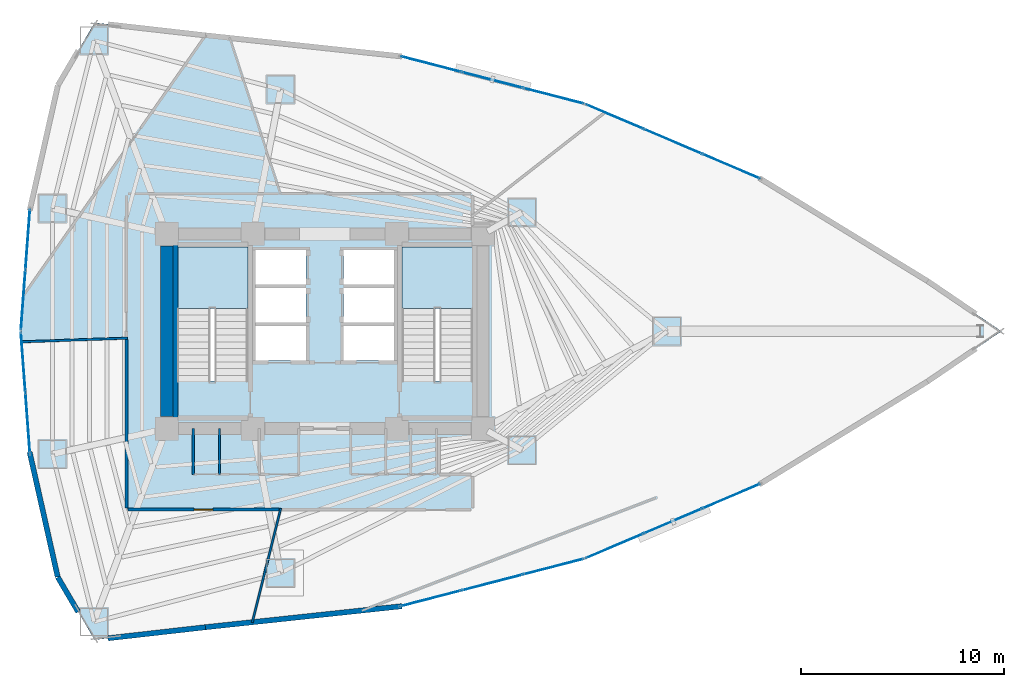
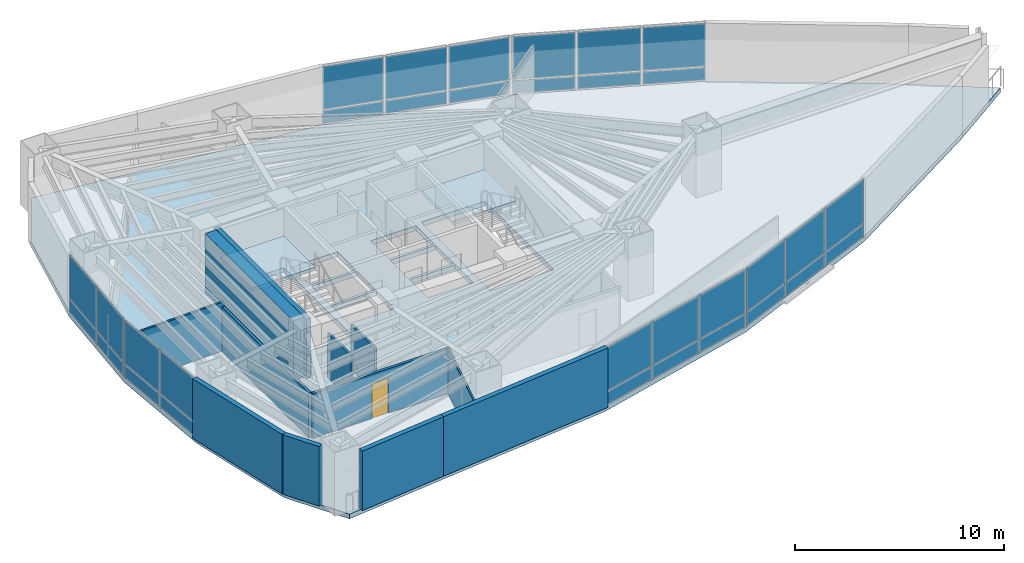
# One storey, part 14 of 20: 32 plates, 12 walls, 3 slabs, 1 door, 1 opening, 8 elements without a shape of their own.
"""IFC4 building model written with IfcOpenShell, lengths in metres."""

from ifc_helpers import new_model, si_unit, direction, frame, frame_2d, origin, origin_2d, place, context, subcontext, project, spatial, polyline, rectangle, outline, extrude, material, layer, layer_set, type_object, element, fill, aggregate, save


model = new_model("IFC4")

# Units and contexts
model_context = context("Model", 3, precision=1e-05, world=origin(), true_north=direction((0.0, 1.0)))
body_context = subcontext(model_context, "Body", "Model", "MODEL_VIEW")
ifc_project = project(units=[si_unit("LENGTHUNIT", "METRE"), si_unit("AREAUNIT", "SQUARE_METRE"), si_unit("VOLUMEUNIT", "CUBIC_METRE"), si_unit("PLANEANGLEUNIT", "RADIAN"), si_unit("MASSUNIT", "GRAM", prefix="KILO")], contexts=[model_context])

# Site, building, storey
site_placement = place(None, origin())
site = spatial("IfcSite", under=ifc_project, at=site_placement, CompositionType="ELEMENT")
building_placement = place(site_placement, origin())
building = spatial("IfcBuilding", under=site, at=building_placement, Name="Menara Vayukalpa", CompositionType="ELEMENT")
storey_placement = place(building_placement, frame((0.0, 0.0, 57.360107421875)))
storey = spatial("IfcBuildingStorey", under=building, at=storey_placement, Name="L13", CompositionType="ELEMENT", Elevation=57.360107421875)

# Curtain wall, plates
ifc_material_1 = material(Name="Anodised Terracotta Aluminium Alloy 6063-T6", Category="masonry")
ifc_layer_1 = layer(ifc_material_1, 0.179931640625)
ifc_layer_set_1 = layer_set([ifc_layer_1], Name="Anodised Terracotta Aluminium Alloy 6063-T6")
curtain_wall_type = type_object("IfcCurtainWallType", Name="CW-CW4", PredefinedType="USERDEFINED", material=ifc_layer_set_1)
curtain_wall_1_placement = place(storey_placement, origin())
curtain_wall_1 = element("IfcCurtainWall", 1, at=curtain_wall_1_placement, inside=storey, type_object=curtain_wall_type, Name="L13 Sky Bar Cantilever Glazed Curtain Wall CW4 04", ObjectType="UNITISED", PredefinedType="USERDEFINED")
ifc_material_2 = material(Name="Low-E Double Glazing", Category="glass")
ifc_layer_2 = layer(ifc_material_2, 0.0380859375)
ifc_layer_set_2 = layer_set([ifc_layer_2], Name="Low-E Double Glazing")
plate_type = type_object("IfcPlateType", Name="CWP-CW4", PredefinedType="CURTAIN_PANEL", material=ifc_layer_set_2)
plate_1_placement = place(storey_placement, frame((45.634033203125, 30.132080078125, 0.06982421875), z_axis=(0.0, 0.0, 1.0), x_axis=(-0.919961751315, 0.392008132718, 0.0)))
plate_1 = element("IfcPlate", 2, at=plate_1_placement, type_object=plate_type, Name="CW4 panel 1.1", PredefinedType="CURTAIN_PANEL", context=body_context, shape_type="SweptSolid", body=[
    extrude(rectangle(XDim=3.03173828125, YDim=0.0380859375, at=origin_2d()), origin(), (0.0, 0.0, 1.0), 0.7451171875),
])
plate_2_placement = place(storey_placement, frame((45.634033203125, 30.132080078125, 0.884765625), z_axis=(0.0, 0.0, 1.0), x_axis=(-0.919961751315, 0.392008132718, 0.0)))
plate_2 = element("IfcPlate", 3, at=plate_2_placement, type_object=plate_type, Name="CW4 panel 1.2", PredefinedType="CURTAIN_PANEL", context=body_context, shape_type="SweptSolid", body=[
    extrude(rectangle(XDim=3.03173828125, YDim=0.0380859375, at=origin_2d()), origin(), (0.0, 0.0, 1.0), 2.514892578125),
])
plate_3_placement = place(storey_placement, frame((42.7587890625, 31.357177734375, 0.06982421875), z_axis=(0.0, 0.0, 1.0), x_axis=(-0.919961751315, 0.392008132718, 0.0)))
plate_3 = element("IfcPlate", 4, at=plate_3_placement, type_object=plate_type, Name="CW4 panel 2.1", PredefinedType="CURTAIN_PANEL", context=body_context, shape_type="SweptSolid", body=[
    extrude(rectangle(XDim=3.069091796875, YDim=0.0380859375, at=origin_2d()), origin(), (0.0, 0.0, 1.0), 0.7451171875),
])
plate_4_placement = place(storey_placement, frame((42.7587890625, 31.357177734375, 0.884765625), z_axis=(0.0, 0.0, 1.0), x_axis=(-0.919961751315, 0.392008132718, 0.0)))
plate_4 = element("IfcPlate", 5, at=plate_4_placement, type_object=plate_type, Name="CW4 panel 2.2", PredefinedType="CURTAIN_PANEL", context=body_context, shape_type="SweptSolid", body=[
    extrude(rectangle(XDim=3.069091796875, YDim=0.0380859375, at=origin_2d()), origin(), (0.0, 0.0, 1.0), 2.514892578125),
])
plate_5_placement = place(storey_placement, frame((39.883544921875, 32.582275390625, 0.06982421875), z_axis=(0.0, 0.0, 1.0), x_axis=(-0.919961751315, 0.392008132718, 0.0)))
plate_5 = element("IfcPlate", 6, at=plate_5_placement, type_object=plate_type, Name="CW4 panel 3.1", PredefinedType="CURTAIN_PANEL", context=body_context, shape_type="SweptSolid", body=[
    extrude(rectangle(XDim=3.03173828125, YDim=0.0380859375, at=origin_2d()), origin(), (0.0, 0.0, 1.0), 0.7451171875),
])
plate_6_placement = place(storey_placement, frame((39.883544921875, 32.582275390625, 0.884765625), z_axis=(0.0, 0.0, 1.0), x_axis=(-0.919961751315, 0.392008132718, 0.0)))
plate_6 = element("IfcPlate", 7, at=plate_6_placement, type_object=plate_type, Name="CW4 panel 3.2", PredefinedType="CURTAIN_PANEL", context=body_context, shape_type="SweptSolid", body=[
    extrude(rectangle(XDim=3.03173828125, YDim=0.0380859375, at=origin_2d()), origin(), (0.0, 0.0, 1.0), 2.514892578125),
])
aggregate(curtain_wall_1, [plate_1, plate_2, plate_3, plate_4, plate_5, plate_6])

curtain_wall_2_placement = place(storey_placement, origin())
curtain_wall_2 = element("IfcCurtainWall", 8, at=curtain_wall_2_placement, inside=storey, type_object=curtain_wall_type, Name="L13 Sky Bar Cantilever Glazed Curtain Wall CW4 05", ObjectType="UNITISED", PredefinedType="USERDEFINED")
plate_7_placement = place(storey_placement, frame((36.8798828125, 33.604248046875, 0.06982421875), z_axis=(0.0, 0.0, 1.0), x_axis=(-0.968141727209, 0.25040286747, 0.0)))
plate_7 = element("IfcPlate", 9, at=plate_7_placement, type_object=plate_type, Name="CW4 panel 1.1", PredefinedType="CURTAIN_PANEL", context=body_context, shape_type="SweptSolid", body=[
    extrude(rectangle(XDim=3.03173828125, YDim=0.0380859375, at=origin_2d()), origin(), (0.0, 0.0, 1.0), 0.7451171875),
])
plate_8_placement = place(storey_placement, frame((36.8798828125, 33.604248046875, 0.884765625), z_axis=(0.0, 0.0, 1.0), x_axis=(-0.968141727209, 0.25040286747, 0.0)))
plate_8 = element("IfcPlate", 10, at=plate_8_placement, type_object=plate_type, Name="CW4 panel 1.2", PredefinedType="CURTAIN_PANEL", context=body_context, shape_type="SweptSolid", body=[
    extrude(rectangle(XDim=3.03173828125, YDim=0.0380859375, at=origin_2d()), origin(), (0.0, 0.0, 1.0), 2.514892578125),
])
plate_9_placement = place(storey_placement, frame((33.854248046875, 34.386962890625, 0.06982421875), z_axis=(0.0, 0.0, 1.0), x_axis=(-0.968141727209, 0.25040286747, 0.0)))
plate_9 = element("IfcPlate", 11, at=plate_9_placement, type_object=plate_type, Name="CW4 panel 2.1", PredefinedType="CURTAIN_PANEL", context=body_context, shape_type="SweptSolid", body=[
    extrude(rectangle(XDim=3.069091796875, YDim=0.0380859375, at=origin_2d()), origin(), (0.0, 0.0, 1.0), 0.7451171875),
])
plate_10_placement = place(storey_placement, frame((33.854248046875, 34.386962890625, 0.884765625), z_axis=(0.0, 0.0, 1.0), x_axis=(-0.968141727209, 0.25040286747, 0.0)))
plate_10 = element("IfcPlate", 12, at=plate_10_placement, type_object=plate_type, Name="CW4 panel 2.2", PredefinedType="CURTAIN_PANEL", context=body_context, shape_type="SweptSolid", body=[
    extrude(rectangle(XDim=3.069091796875, YDim=0.0380859375, at=origin_2d()), origin(), (0.0, 0.0, 1.0), 2.514892578125),
])
plate_11_placement = place(storey_placement, frame((30.828369140625, 35.16943359375, 0.06982421875), z_axis=(0.0, 0.0, 1.0), x_axis=(-0.968141727209, 0.25040286747, 0.0)))
plate_11 = element("IfcPlate", 13, at=plate_11_placement, type_object=plate_type, Name="CW4 panel 3.1", PredefinedType="CURTAIN_PANEL", context=body_context, shape_type="SweptSolid", body=[
    extrude(rectangle(XDim=3.03173828125, YDim=0.0380859375, at=origin_2d()), origin(), (0.0, 0.0, 1.0), 0.7451171875),
])
plate_12_placement = place(storey_placement, frame((30.828369140625, 35.16943359375, 0.884765625), z_axis=(0.0, 0.0, 1.0), x_axis=(-0.968141727209, 0.25040286747, 0.0)))
plate_12 = element("IfcPlate", 14, at=plate_12_placement, type_object=plate_type, Name="CW4 panel 3.2", PredefinedType="CURTAIN_PANEL", context=body_context, shape_type="SweptSolid", body=[
    extrude(rectangle(XDim=3.03173828125, YDim=0.0380859375, at=origin_2d()), origin(), (0.0, 0.0, 1.0), 2.514892578125),
])
aggregate(curtain_wall_2, [plate_7, plate_8, plate_9, plate_10, plate_11, plate_12])

curtain_wall_3_placement = place(storey_placement, origin())
curtain_wall_3 = element("IfcCurtainWall", 15, at=curtain_wall_3_placement, inside=storey, type_object=curtain_wall_type, Name="L13 Sky Bar Cantilever Glazed Curtain Wall CW4 10", ObjectType="UNITISED", PredefinedType="USERDEFINED")
plate_13_placement = place(storey_placement, frame((10.94921875, 26.526123046875, 0.06982421875), z_axis=(0.0, 0.0, 1.0), x_axis=(-0.074794857576, -0.997198941676, 0.0)))
plate_13 = element("IfcPlate", 16, at=plate_13_placement, type_object=plate_type, Name="CW4 panel 1.1", PredefinedType="CURTAIN_PANEL", context=body_context, shape_type="SweptSolid", body=[
    extrude(rectangle(XDim=2.92578125, YDim=0.0380859375, at=origin_2d()), origin(), (0.0, 0.0, 1.0), 0.7451171875),
])
plate_14_placement = place(storey_placement, frame((10.94921875, 26.526123046875, 0.884765625), z_axis=(0.0, 0.0, 1.0), x_axis=(-0.074794857576, -0.997198941676, 0.0)))
plate_14 = element("IfcPlate", 17, at=plate_14_placement, type_object=plate_type, Name="CW4 panel 1.2", PredefinedType="CURTAIN_PANEL", context=body_context, shape_type="SweptSolid", body=[
    extrude(rectangle(XDim=2.92578125, YDim=0.0380859375, at=origin_2d()), origin(), (0.0, 0.0, 1.0), 2.514892578125),
])
plate_15_placement = place(storey_placement, frame((10.724609375, 23.53369140625, 0.06982421875), z_axis=(0.0, 0.0, 1.0), x_axis=(-0.074794857576, -0.997198941676, 0.0)))
plate_15 = element("IfcPlate", 18, at=plate_15_placement, type_object=plate_type, Name="CW4 panel 2.1", PredefinedType="CURTAIN_PANEL", context=body_context, shape_type="SweptSolid", body=[
    extrude(rectangle(XDim=2.92578125, YDim=0.0380859375, at=origin_2d()), origin(), (0.0, 0.0, 1.0), 0.7451171875),
])
plate_16_placement = place(storey_placement, frame((10.724609375, 23.53369140625, 0.884765625), z_axis=(0.0, 0.0, 1.0), x_axis=(-0.074794857576, -0.997198941676, 0.0)))
plate_16 = element("IfcPlate", 19, at=plate_16_placement, type_object=plate_type, Name="CW4 panel 2.2", PredefinedType="CURTAIN_PANEL", context=body_context, shape_type="SweptSolid", body=[
    extrude(rectangle(XDim=2.92578125, YDim=0.0380859375, at=origin_2d()), origin(), (0.0, 0.0, 1.0), 2.514892578125),
])
aggregate(curtain_wall_3, [plate_13, plate_14, plate_15, plate_16])

curtain_wall_4_placement = place(storey_placement, origin())
curtain_wall_4 = element("IfcCurtainWall", 20, at=curtain_wall_4_placement, inside=storey, type_object=curtain_wall_type, Name="L13 Sky Bar Cantilever Glazed Curtain Wall CW4 11", ObjectType="UNITISED", PredefinedType="USERDEFINED")
plate_17_placement = place(storey_placement, frame((10.724609375, 20.46630859375, 0.06982421875), z_axis=(0.0, 0.0, 1.0), x_axis=(0.074794857576, -0.997198941676, 0.0)))
plate_17 = element("IfcPlate", 21, at=plate_17_placement, type_object=plate_type, Name="CW4 panel 1.1", PredefinedType="CURTAIN_PANEL", context=body_context, shape_type="SweptSolid", body=[
    extrude(rectangle(XDim=2.92578125, YDim=0.0380859375, at=origin_2d()), origin(), (0.0, 0.0, 1.0), 0.7451171875),
])
plate_18_placement = place(storey_placement, frame((10.724609375, 20.46630859375, 0.884765625), z_axis=(0.0, 0.0, 1.0), x_axis=(0.074794857576, -0.997198941676, 0.0)))
plate_18 = element("IfcPlate", 22, at=plate_18_placement, type_object=plate_type, Name="CW4 panel 1.2", PredefinedType="CURTAIN_PANEL", context=body_context, shape_type="SweptSolid", body=[
    extrude(rectangle(XDim=2.92578125, YDim=0.0380859375, at=origin_2d()), origin(), (0.0, 0.0, 1.0), 2.514892578125),
])
plate_19_placement = place(storey_placement, frame((10.94921875, 17.473876953125, 0.06982421875), z_axis=(0.0, 0.0, 1.0), x_axis=(0.074794857576, -0.997198941676, 0.0)))
plate_19 = element("IfcPlate", 23, at=plate_19_placement, type_object=plate_type, Name="CW4 panel 2.1", PredefinedType="CURTAIN_PANEL", context=body_context, shape_type="SweptSolid", body=[
    extrude(rectangle(XDim=2.92578125, YDim=0.0380859375, at=origin_2d()), origin(), (0.0, 0.0, 1.0), 0.7451171875),
])
plate_20_placement = place(storey_placement, frame((10.94921875, 17.473876953125, 0.884765625), z_axis=(0.0, 0.0, 1.0), x_axis=(0.074794857576, -0.997198941676, 0.0)))
plate_20 = element("IfcPlate", 24, at=plate_20_placement, type_object=plate_type, Name="CW4 panel 2.2", PredefinedType="CURTAIN_PANEL", context=body_context, shape_type="SweptSolid", body=[
    extrude(rectangle(XDim=2.92578125, YDim=0.0380859375, at=origin_2d()), origin(), (0.0, 0.0, 1.0), 2.514892578125),
])
aggregate(curtain_wall_4, [plate_17, plate_18, plate_19, plate_20])

curtain_wall_5_placement = place(storey_placement, origin())
curtain_wall_5 = element("IfcCurtainWall", 25, at=curtain_wall_5_placement, inside=storey, type_object=curtain_wall_type, Name="L13 Sky Bar Cantilever Glazed Curtain Wall CW4 16", ObjectType="UNITISED", PredefinedType="USERDEFINED")
plate_21_placement = place(storey_placement, frame((30.828369140625, 8.83056640625, 0.06982421875), z_axis=(0.0, 0.0, 1.0), x_axis=(0.968141727209, 0.25040286747, 0.0)))
plate_21 = element("IfcPlate", 26, at=plate_21_placement, type_object=plate_type, Name="CW4 panel 1.1", PredefinedType="CURTAIN_PANEL", context=body_context, shape_type="SweptSolid", body=[
    extrude(rectangle(XDim=3.03173828125, YDim=0.0380859375, at=origin_2d()), origin(), (0.0, 0.0, 1.0), 0.7451171875),
])
plate_22_placement = place(storey_placement, frame((30.828369140625, 8.83056640625, 0.884765625), z_axis=(0.0, 0.0, 1.0), x_axis=(0.968141727209, 0.25040286747, 0.0)))
plate_22 = element("IfcPlate", 27, at=plate_22_placement, type_object=plate_type, Name="CW4 panel 1.2", PredefinedType="CURTAIN_PANEL", context=body_context, shape_type="SweptSolid", body=[
    extrude(rectangle(XDim=3.03173828125, YDim=0.0380859375, at=origin_2d()), origin(), (0.0, 0.0, 1.0), 2.514892578125),
])
plate_23_placement = place(storey_placement, frame((33.854248046875, 9.613037109375, 0.06982421875), z_axis=(0.0, 0.0, 1.0), x_axis=(0.968141727209, 0.25040286747, 0.0)))
plate_23 = element("IfcPlate", 28, at=plate_23_placement, type_object=plate_type, Name="CW4 panel 2.1", PredefinedType="CURTAIN_PANEL", context=body_context, shape_type="SweptSolid", body=[
    extrude(rectangle(XDim=3.069091796875, YDim=0.0380859375, at=origin_2d()), origin(), (0.0, 0.0, 1.0), 0.7451171875),
])
plate_24_placement = place(storey_placement, frame((33.854248046875, 9.613037109375, 0.884765625), z_axis=(0.0, 0.0, 1.0), x_axis=(0.968141727209, 0.25040286747, 0.0)))
plate_24 = element("IfcPlate", 29, at=plate_24_placement, type_object=plate_type, Name="CW4 panel 2.2", PredefinedType="CURTAIN_PANEL", context=body_context, shape_type="SweptSolid", body=[
    extrude(rectangle(XDim=3.069091796875, YDim=0.0380859375, at=origin_2d()), origin(), (0.0, 0.0, 1.0), 2.514892578125),
])
plate_25_placement = place(storey_placement, frame((36.8798828125, 10.395751953125, 0.06982421875), z_axis=(0.0, 0.0, 1.0), x_axis=(0.968141727209, 0.25040286747, 0.0)))
plate_25 = element("IfcPlate", 30, at=plate_25_placement, type_object=plate_type, Name="CW4 panel 3.1", PredefinedType="CURTAIN_PANEL", context=body_context, shape_type="SweptSolid", body=[
    extrude(rectangle(XDim=3.03173828125, YDim=0.0380859375, at=origin_2d()), origin(), (0.0, 0.0, 1.0), 0.7451171875),
])
plate_26_placement = place(storey_placement, frame((36.8798828125, 10.395751953125, 0.884765625), z_axis=(0.0, 0.0, 1.0), x_axis=(0.968141727209, 0.25040286747, 0.0)))
plate_26 = element("IfcPlate", 31, at=plate_26_placement, type_object=plate_type, Name="CW4 panel 3.2", PredefinedType="CURTAIN_PANEL", context=body_context, shape_type="SweptSolid", body=[
    extrude(rectangle(XDim=3.03173828125, YDim=0.0380859375, at=origin_2d()), origin(), (0.0, 0.0, 1.0), 2.514892578125),
])
aggregate(curtain_wall_5, [plate_21, plate_22, plate_23, plate_24, plate_25, plate_26])

curtain_wall_6_placement = place(storey_placement, origin())
curtain_wall_6 = element("IfcCurtainWall", 32, at=curtain_wall_6_placement, inside=storey, type_object=curtain_wall_type, Name="L13 Sky Bar Cantilever Glazed Curtain Wall CW4 17", ObjectType="UNITISED", PredefinedType="USERDEFINED")
plate_27_placement = place(storey_placement, frame((39.883544921875, 11.417724609375, 0.06982421875), z_axis=(0.0, 0.0, 1.0), x_axis=(0.919961751315, 0.392008132718, 0.0)))
plate_27 = element("IfcPlate", 33, at=plate_27_placement, type_object=plate_type, Name="CW4 panel 1.1", PredefinedType="CURTAIN_PANEL", context=body_context, shape_type="SweptSolid", body=[
    extrude(rectangle(XDim=3.03173828125, YDim=0.0380859375, at=origin_2d()), origin(), (0.0, 0.0, 1.0), 0.7451171875),
])
plate_28_placement = place(storey_placement, frame((39.883544921875, 11.417724609375, 0.884765625), z_axis=(0.0, 0.0, 1.0), x_axis=(0.919961751315, 0.392008132718, 0.0)))
plate_28 = element("IfcPlate", 34, at=plate_28_placement, type_object=plate_type, Name="CW4 panel 1.2", PredefinedType="CURTAIN_PANEL", context=body_context, shape_type="SweptSolid", body=[
    extrude(rectangle(XDim=3.03173828125, YDim=0.0380859375, at=origin_2d()), origin(), (0.0, 0.0, 1.0), 2.514892578125),
])
plate_29_placement = place(storey_placement, frame((42.7587890625, 12.642822265625, 0.06982421875), z_axis=(0.0, 0.0, 1.0), x_axis=(0.919961751315, 0.392008132718, 0.0)))
plate_29 = element("IfcPlate", 35, at=plate_29_placement, type_object=plate_type, Name="CW4 panel 2.1", PredefinedType="CURTAIN_PANEL", context=body_context, shape_type="SweptSolid", body=[
    extrude(rectangle(XDim=3.069091796875, YDim=0.0380859375, at=origin_2d()), origin(), (0.0, 0.0, 1.0), 0.7451171875),
])
plate_30_placement = place(storey_placement, frame((42.7587890625, 12.642822265625, 0.884765625), z_axis=(0.0, 0.0, 1.0), x_axis=(0.919961751315, 0.392008132718, 0.0)))
plate_30 = element("IfcPlate", 36, at=plate_30_placement, type_object=plate_type, Name="CW4 panel 2.2", PredefinedType="CURTAIN_PANEL", context=body_context, shape_type="SweptSolid", body=[
    extrude(rectangle(XDim=3.069091796875, YDim=0.0380859375, at=origin_2d()), origin(), (0.0, 0.0, 1.0), 2.514892578125),
])
plate_31_placement = place(storey_placement, frame((45.634033203125, 13.867919921875, 0.06982421875), z_axis=(0.0, 0.0, 1.0), x_axis=(0.919961751315, 0.392008132718, 0.0)))
plate_31 = element("IfcPlate", 37, at=plate_31_placement, type_object=plate_type, Name="CW4 panel 3.1", PredefinedType="CURTAIN_PANEL", context=body_context, shape_type="SweptSolid", body=[
    extrude(rectangle(XDim=3.03173828125, YDim=0.0380859375, at=origin_2d()), origin(), (0.0, 0.0, 1.0), 0.7451171875),
])
plate_32_placement = place(storey_placement, frame((45.634033203125, 13.867919921875, 0.884765625), z_axis=(0.0, 0.0, 1.0), x_axis=(0.919961751315, 0.392008132718, 0.0)))
plate_32 = element("IfcPlate", 38, at=plate_32_placement, type_object=plate_type, Name="CW4 panel 3.2", PredefinedType="CURTAIN_PANEL", context=body_context, shape_type="SweptSolid", body=[
    extrude(rectangle(XDim=3.03173828125, YDim=0.0380859375, at=origin_2d()), origin(), (0.0, 0.0, 1.0), 2.514892578125),
])
aggregate(curtain_wall_6, [plate_27, plate_28, plate_29, plate_30, plate_31, plate_32])

# Slab
ifc_material_3 = material(Name="Concrete C40/50", Category="concrete")
ifc_layer_3 = layer(ifc_material_3, 0.280029296875)
ifc_layer_set_3 = layer_set([ifc_layer_3], Name="Concrete C40/50")
slab_type_1 = type_object("IfcSlabType", Name="SLB-FL280", PredefinedType="FLOOR", material=ifc_layer_set_3)
slab_1_placement = place(storey_placement, frame((0.0, 0.0, -0.280029296875)))
element("IfcSlab", 39, at=slab_1_placement, inside=storey, type_object=slab_type_1, Name="L13 Sky Bar Structural Floor Slab", PredefinedType="FLOOR", context=body_context, shape_type="SweptSolid", body=[
    extrude(outline(polyline([(55.320556640625, 19.52490234375), (58.957763671875, 22.0), (55.320556640625, 24.47509765625), (47.09765625, 29.50830078125), (38.420166015625, 33.2060546875), (29.2880859375, 35.56787109375), (19.701904296875, 36.59423828125), (14.24609375, 37.212890625), (12.427490234375, 34.119140625), (11.064208984375, 28.0595703125), (10.609619140625, 22.0), (11.064208984375, 15.9404296875), (12.427490234375, 9.880859375), (14.24609375, 6.787109375), (19.701904296875, 7.40576171875), (29.2880859375, 8.43212890625), (38.420166015625, 10.7939453125), (47.09765625, 14.49169921875), (55.320556640625, 19.52490234375)]), holes=[polyline([(21.800048828125, 19.550048828125), (21.800048828125, 26.14990234375), (18.300048828125, 26.14990234375), (18.300048828125, 19.550048828125), (21.800048828125, 19.550048828125)]), polyline([(32.89990234375, 19.550048828125), (32.89990234375, 26.14990234375), (29.39990234375, 26.14990234375), (29.39990234375, 19.550048828125), (32.89990234375, 19.550048828125)]), polyline([(22.179931640625, 20.550048828125), (24.679931640625, 20.550048828125), (24.679931640625, 22.27001953125), (22.179931640625, 22.27001953125), (22.179931640625, 20.550048828125)]), polyline([(26.52001953125, 20.550048828125), (29.02001953125, 20.550048828125), (29.02001953125, 22.27001953125), (26.52001953125, 22.27001953125), (26.52001953125, 20.550048828125)]), polyline([(22.179931640625, 22.419921875), (24.679931640625, 22.419921875), (24.679931640625, 24.139892578125), (22.179931640625, 24.139892578125), (22.179931640625, 22.419921875)]), polyline([(22.179931640625, 24.2900390625), (24.679931640625, 24.2900390625), (24.679931640625, 26.010009765625), (22.179931640625, 26.010009765625), (22.179931640625, 24.2900390625)]), polyline([(26.52001953125, 24.2900390625), (29.02001953125, 24.2900390625), (29.02001953125, 26.010009765625), (26.52001953125, 26.010009765625), (26.52001953125, 24.2900390625)]), polyline([(26.52001953125, 22.419921875), (29.02001953125, 22.419921875), (29.02001953125, 24.139892578125), (26.52001953125, 24.139892578125), (26.52001953125, 22.419921875)])]), origin(), (0.0, 0.0, 1.0), 0.280029296875),
])

# Stair, slab
ifc_material_4 = material(Name="Precast Concrete C40/50", Category="concrete")
stair_type = type_object("IfcStairType", Name="STR-T04", PredefinedType="DOUBLE_RETURN_STAIR", material=ifc_material_4)
stair_1_placement = place(storey_placement, origin())
stair_1 = element("IfcStair", 40, at=stair_1_placement, inside=storey, type_object=stair_type, Name="L13 Core Exit Stair ST-1", PredefinedType="DOUBLE_RETURN_STAIR")
ifc_material_5 = material(Name="Precast Concrete C40/50", Category="concrete")
ifc_layer_4 = layer(ifc_material_5, 0.199951171875)
ifc_layer_set_4 = layer_set([ifc_layer_4], Name="Precast Concrete C40/50")
slab_type_2 = type_object("IfcSlabType", Name="SLB-LND200", PredefinedType="LANDING", material=ifc_layer_set_4)
slab_2_placement = place(storey_placement, frame((0.0, 0.0, 1.659912109375)))
slab_2 = element("IfcSlab", 41, at=slab_2_placement, type_object=slab_type_2, Name="ST-1 landing 1", PredefinedType="LANDING", context=body_context, shape_type="SweptSolid", body=[
    extrude(outline(polyline([(21.800048828125, 23.1298828125), (21.800048828125, 26.14990234375), (18.300048828125, 26.14990234375), (18.300048828125, 23.1298828125), (21.800048828125, 23.1298828125)])), origin(), (0.0, 0.0, 1.0), 0.199951171875),
])
aggregate(stair_1, [slab_2])

stair_2_placement = place(storey_placement, origin())
stair_2 = element("IfcStair", 42, at=stair_2_placement, inside=storey, type_object=stair_type, Name="L13 Core Exit Stair ST-2", PredefinedType="DOUBLE_RETURN_STAIR")
slab_3_placement = place(storey_placement, frame((0.0, 0.0, 1.659912109375)))
slab_3 = element("IfcSlab", 43, at=slab_3_placement, type_object=slab_type_2, Name="ST-2 landing 1", PredefinedType="LANDING", context=body_context, shape_type="SweptSolid", body=[
    extrude(outline(polyline([(32.89990234375, 23.1298828125), (32.89990234375, 26.14990234375), (29.39990234375, 26.14990234375), (29.39990234375, 23.1298828125), (32.89990234375, 23.1298828125)])), origin(), (0.0, 0.0, 1.0), 0.199951171875),
])
aggregate(stair_2, [slab_3])

# Walls
ifc_material_6 = material(Name="Concrete C70/85", Category="concrete")
ifc_layer_5 = layer(ifc_material_6, 0.60009765625)
ifc_layer_set_5 = layer_set([ifc_layer_5], Name="Concrete C70/85")
wall_type_1 = type_object("IfcWallType", Name="WAL-CW600", PredefinedType="SHEAR", material=ifc_layer_set_5)
wall_1_placement = place(storey_placement, frame((17.800048828125, 17.794921875, 0.0), z_axis=(0.0, 0.0, 1.0), x_axis=(0.0, 1.0, 0.0)))
element("IfcWall", 44, at=wall_1_placement, inside=storey, type_object=wall_type_1, Name="L13 Buttressed Core Shear Wall CWW1", PredefinedType="SHEAR", context=body_context, shape_type="SweptSolid", body=[
    extrude(rectangle(XDim=8.41015625, YDim=0.60009765625, at=frame_2d((4.205078125, 0.0))), origin(), (0.0, 0.0, 1.0), 3.469970703125),
])
ifc_material_7 = material(Name="Insulated Precast Concrete C40/50", Category="concrete")
ifc_layer_6 = layer(ifc_material_7, 0.260009765625)
ifc_layer_set_6 = layer_set([ifc_layer_6], Name="Insulated Precast Concrete C40/50")
wall_type_2 = type_object("IfcWallType", Name="WAL-EXT260", PredefinedType="PARTITIONING", material=ifc_layer_set_6)
wall_2_placement = place(storey_placement, frame((12.425537109375, 9.8896484375, 0.0), z_axis=(0.0, 0.0, 1.0), x_axis=(-0.219505752381, 0.975611205692, 0.0)))
element("IfcWall", 45, at=wall_2_placement, inside=storey, type_object=wall_type_2, Name="L13 Perimeter Terracotta Pier Wall 12", PredefinedType="PARTITIONING", context=body_context, shape_type="SweptSolid", body=[
    extrude(rectangle(XDim=6.31201171875, YDim=0.260009765625, at=frame_2d((3.156005859375, 0.0))), origin(), (0.0, 0.0, 1.0), 3.469970703125),
])
wall_3_placement = place(storey_placement, frame((13.4384765625, 8.1611328125, 0.0), z_axis=(0.0, 0.0, 1.0), x_axis=(-0.506772954594, 0.862079562739, 0.0)))
element("IfcWall", 46, at=wall_3_placement, inside=storey, type_object=wall_type_2, Name="L13 Perimeter Terracotta Pier Wall 13", PredefinedType="PARTITIONING", context=body_context, shape_type="SweptSolid", body=[
    extrude(rectangle(XDim=1.98583984375, YDim=0.260009765625, at=frame_2d((0.992919921875, 0.0))), origin(), (0.0, 0.0, 1.0), 3.469970703125),
])
wall_4_placement = place(storey_placement, frame((19.707763671875, 7.406494140625, 0.0), z_axis=(0.0, 0.0, 1.0), x_axis=(-0.993630237788, -0.112689620435, 0.0)))
element("IfcWall", 47, at=wall_4_placement, inside=storey, type_object=wall_type_2, Name="L13 Perimeter Terracotta Pier Wall 14", PredefinedType="PARTITIONING", context=body_context, shape_type="SweptSolid", body=[
    extrude(rectangle(XDim=4.8291015625, YDim=0.260009765625, at=frame_2d((2.41455078125, 0.0))), origin(), (0.0, 0.0, 1.0), 3.469970703125),
])
wall_5_placement = place(storey_placement, frame((29.397705078125, 8.44384765625, 0.0), z_axis=(0.0, 0.0, 1.0), x_axis=(-0.994319088673, -0.106440358419, 0.0)))
element("IfcWall", 48, at=wall_5_placement, inside=storey, type_object=wall_type_2, Name="L13 Perimeter Terracotta Pier Wall 15", PredefinedType="PARTITIONING", context=body_context, shape_type="SweptSolid", body=[
    extrude(rectangle(XDim=9.75732421875, YDim=0.260009765625, at=frame_2d((4.878662109375, 0.0))), origin(), (0.0, 0.0, 1.0), 3.469970703125),
])
ifc_material_8 = material(Name="Glazed Demountable Office Partition", Category="glass")
ifc_layer_7 = layer(ifc_material_8, 0.094970703125)
ifc_layer_set_7 = layer_set([ifc_layer_7], Name="Glazed Demountable Office Partition")
wall_type_3 = type_object("IfcWallType", Name="WAL-PT100", PredefinedType="PARTITIONING", material=ifc_layer_set_7)
wall_6_placement = place(storey_placement, frame((23.4208984375, 13.260009765625, 0.0), z_axis=(0.0, 0.0, 1.0), x_axis=(-0.241950009825, -0.97028871618, 0.0)))
element("IfcWall", 49, at=wall_6_placement, inside=storey, type_object=wall_type_3, Name="L13 Interior Partition IW-L13-RDIV04", PredefinedType="PARTITIONING", context=body_context, shape_type="SweptSolid", body=[
    extrude(rectangle(XDim=5.787841796875, YDim=0.094970703125, at=frame_2d((2.89404296875, 0.0))), origin(), (0.0, 0.0, 1.0), 2.599853515625),
])
ifc_material_9 = material(Name="Acoustic Mineral Stud Partition", Category="masonry")
ifc_layer_8 = layer(ifc_material_9, 0.110107421875)
ifc_layer_set_8 = layer_set([ifc_layer_8], Name="Acoustic Mineral Stud Partition")
wall_type_4 = type_object("IfcWallType", Name="WAL-PT110", PredefinedType="PARTITIONING", material=ifc_layer_set_8)
wall_7_placement = place(storey_placement, frame((20.39990234375, 14.949951171875, 0.0), z_axis=(0.0, 0.0, 1.0), x_axis=(0.0, 1.0, 0.0)))
element("IfcWall", 50, at=wall_7_placement, inside=storey, type_object=wall_type_4, Name="L13 Interior Partition IW-L13-SVCD-02", PredefinedType="PARTITIONING", context=body_context, shape_type="SweptSolid", body=[
    extrude(rectangle(XDim=2.25, YDim=0.110107421875, at=frame_2d((1.125, 0.0))), origin(), (0.0, 0.0, 1.0), 2.599853515625),
])
wall_8_placement = place(storey_placement, frame((15.8701171875, 21.66015625, 0.0), z_axis=(0.0, 0.0, 1.0), x_axis=(-0.999391229301, -0.034887974962, 0.0)))
element("IfcWall", 51, at=wall_8_placement, inside=storey, type_object=wall_type_4, Name="L13 Interior Partition IW-L13-RDIV03", PredefinedType="PARTITIONING", context=body_context, shape_type="SweptSolid", body=[
    extrude(rectangle(XDim=5.234375, YDim=0.110107421875, at=frame_2d((2.6171875, 0.0))), origin(), (0.0, 0.0, 1.0), 2.849853515625),
])
ifc_material_10 = material(Name="Gypsum Drywall Steel Stud Assembly", Category="steel")
ifc_layer_9 = layer(ifc_material_10, 0.125)
ifc_layer_set_9 = layer_set([ifc_layer_9], Name="Gypsum Drywall Steel Stud Assembly")
wall_type_5 = type_object("IfcWallType", Name="WAL-PT125", PredefinedType="PARTITIONING", material=ifc_layer_set_9)
wall_9_placement = place(storey_placement, frame((19.10009765625, 14.949951171875, 0.0), z_axis=(0.0, 0.0, 1.0), x_axis=(0.0, 1.0, 0.0)))
element("IfcWall", 52, at=wall_9_placement, inside=storey, type_object=wall_type_5, Name="L13 Interior Partition IW-L13-SVCD-01", PredefinedType="PARTITIONING", context=body_context, shape_type="SweptSolid", body=[
    extrude(rectangle(XDim=2.25, YDim=0.125, at=frame_2d((1.125, 0.0))), origin(), (0.0, 0.0, 1.0), 2.599853515625),
])
ifc_material_11 = material(Name="Gypsum Drywall Acoustic Stud Assembly", Category="masonry")
ifc_layer_10 = layer(ifc_material_11, 0.14501953125)
ifc_layer_set_10 = layer_set([ifc_layer_10], Name="Gypsum Drywall Acoustic Stud Assembly")
wall_type_6 = type_object("IfcWallType", Name="WAL-PT150", PredefinedType="PARTITIONING", material=ifc_layer_set_10)
wall_10_placement = place(storey_placement, frame((15.820068359375, 21.58837890625, 0.0), z_axis=(0.0, 0.0, 1.0), x_axis=(0.0, -1.0, 0.0)))
element("IfcWall", 53, at=wall_10_placement, inside=storey, type_object=wall_type_6, Name="L13 Interior Partition IW-L13-CRM02-1", PredefinedType="PARTITIONING", context=body_context, shape_type="SweptSolid", body=[
    extrude(rectangle(XDim=8.29833984375, YDim=0.14501953125, at=frame_2d((4.149169921875, 0.0))), origin(), (0.0, 0.0, 1.0), 2.599853515625),
])

# Wall, opening, door
wall_11_placement = place(storey_placement, frame((15.89990234375, 13.2099609375, 0.0), z_axis=(0.0, 0.0, 1.0), x_axis=(1.0, 0.0, 0.0)))
wall_11 = element("IfcWall", 54, at=wall_11_placement, inside=storey, type_object=wall_type_6, Name="L13 Interior Partition IW-L13-CRM02-2", PredefinedType="PARTITIONING", context=body_context, shape_type="SweptSolid", body=[
    extrude(rectangle(XDim=7.436279296875, YDim=0.14501953125, at=frame_2d((3.71826171875, 0.0))), origin(), (0.0, 0.0, 1.0), 2.599853515625),
])
opening_placement = place(wall_11_placement, frame((3.25830078125, 0.0, 0.0)))
opening = element("IfcOpeningElement", 55, at=opening_placement, cuts=wall_11, Name="Opening ID6", PredefinedType="OPENING", context=body_context, shape_type="SweptSolid", body=[
    extrude(rectangle(XDim=0.919921875, YDim=2.050048828125, at=frame_2d((0.4599609375, 1.02490234375))), frame((0.0, 0.08251953125, 0.0), z_axis=(0.0, -1.0, 0.0), x_axis=(1.0, 0.0, 0.0)), (0.0, 0.0, 1.0), 0.1650390625),
])
ifc_material_12 = material(Name="Acoustic Hardwood Veneer Timber Door", Category="wood")
door_type = type_object("IfcDoorType", Name="DR-INT92", OperationType="NOTDEFINED", PredefinedType="DOOR", material=ifc_material_12)
door_placement = place(opening_placement, origin())
door = element("IfcDoor", 56, at=door_placement, inside=storey, type_object=door_type, Name="L13 Interior Door DR-L13-RM02", OperationType="SINGLE_SWING_LEFT", OverallHeight=2.050048828125, OverallWidth=0.919921875, PredefinedType="DOOR", context=body_context, shape_type="SweptSolid", body=[
    extrude(rectangle(XDim=0.919921875, YDim=2.050048828125, at=frame_2d((0.4599609375, 1.02490234375))), frame((0.0, 0.02490234375, 0.0), z_axis=(0.0, -1.0, 0.0), x_axis=(1.0, 0.0, 0.0)), (0.0, 0.0, 1.0), 0.050048828125),
])
fill(opening, door)

# Wall
ifc_material_13 = material(Name="Concrete C50/60", Category="concrete")
ifc_layer_11 = layer(ifc_material_13, 0.25)
ifc_layer_set_11 = layer_set([ifc_layer_11], Name="Concrete C50/60")
wall_type_7 = type_object("IfcWallType", Name="WAL-SW250", PredefinedType="SHEAR", material=ifc_layer_set_11)
wall_12_placement = place(storey_placement, frame((18.22900390625, 17.60009765625, 0.0), z_axis=(0.0, 0.0, 1.0), x_axis=(0.0, 1.0, 0.0)))
element("IfcWall", 57, at=wall_12_placement, inside=storey, type_object=wall_type_7, Name="L13 ST1 Structural Stair Shaft Wall W", PredefinedType="SHEAR", context=body_context, shape_type="SweptSolid", body=[
    extrude(rectangle(XDim=8.7998046875, YDim=0.25, at=frame_2d((4.39990234375, 0.0))), origin(), (0.0, 0.0, 1.0), 3.469970703125),
])

save(model, "model.ifc")
